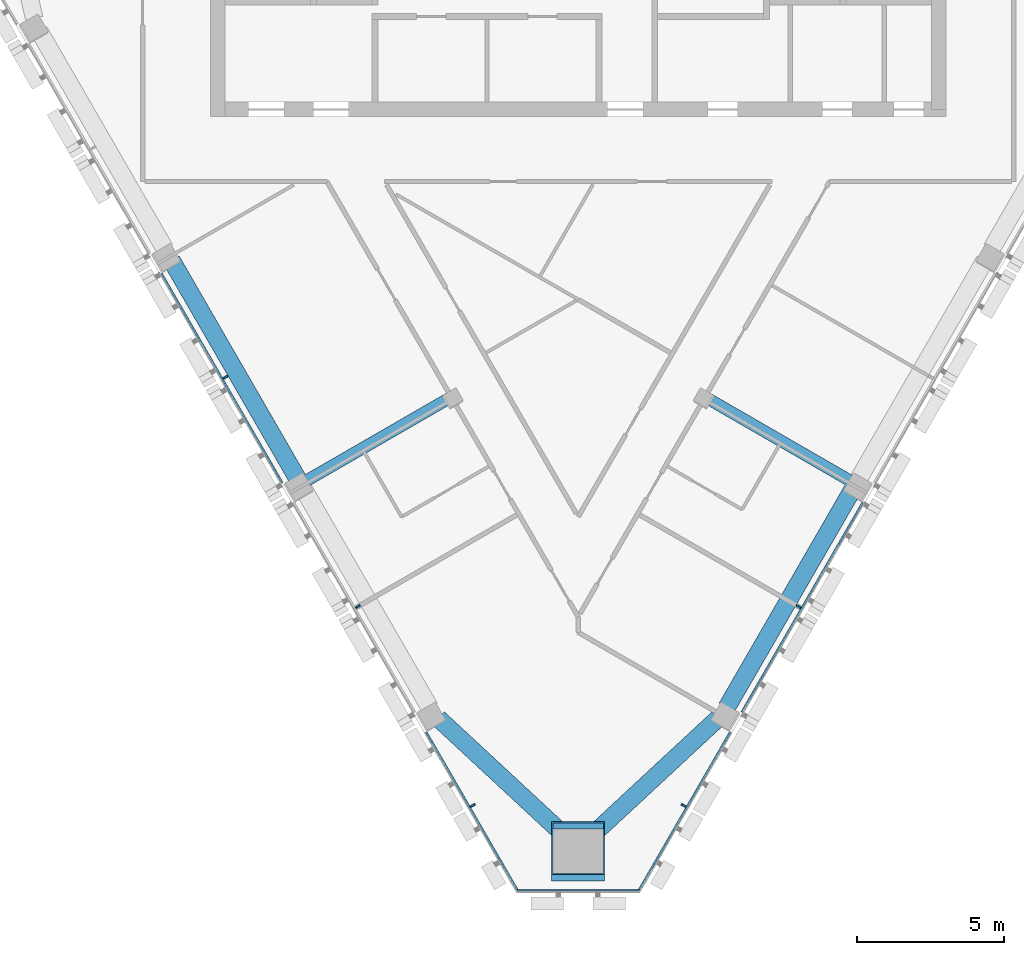
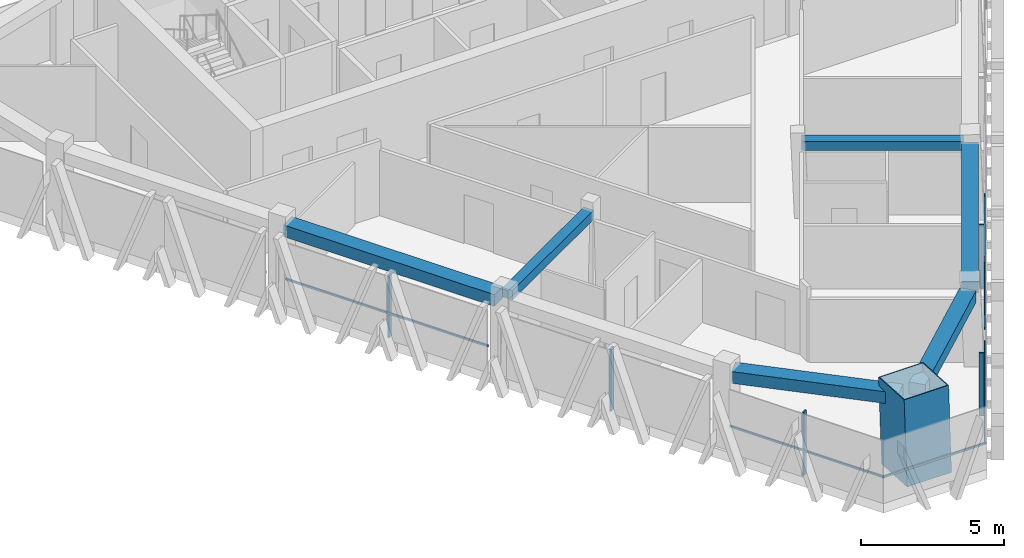
# One storey, part 2 of 12: 11 members, 6 beams, 3 elements without a shape of their own.
"""IFC4 building model written with IfcOpenShell, lengths in metres."""

from ifc_helpers import new_model, si_unit, direction, frame, origin, origin_2d, place, context, subcontext, project, spatial, rectangle, hollow_rectangle, extrude, material, layer, layer_set, material_profile, profile_set, type_object, element, aggregate, save


model = new_model("IFC4")

# Units and contexts
model_context = context("Model", 3, precision=1e-05, world=origin(), true_north=direction((0.0, 1.0)))
body_context = subcontext(model_context, "Body", "Model", "MODEL_VIEW")
ifc_project = project(units=[si_unit("LENGTHUNIT", "METRE"), si_unit("AREAUNIT", "SQUARE_METRE"), si_unit("VOLUMEUNIT", "CUBIC_METRE"), si_unit("PLANEANGLEUNIT", "RADIAN"), si_unit("MASSUNIT", "GRAM", prefix="KILO")], contexts=[model_context])

# Site, building, storey
site_placement = place(None, origin())
site = spatial("IfcSite", under=ifc_project, at=site_placement, CompositionType="ELEMENT")
building_placement = place(site_placement, origin())
building = spatial("IfcBuilding", under=site, at=building_placement, Name="Altiplano Prism Tower", CompositionType="ELEMENT")
storey_placement = place(building_placement, frame((0.0, 0.0, 298.60009765625)))
storey = spatial("IfcBuildingStorey", under=building, at=storey_placement, Name="L77", CompositionType="ELEMENT", Elevation=298.60009765625)

# Curtain wall, members
ifc_material_1 = material(Name="Aluminium and glass", Category="aluminium")
ifc_layer = layer(ifc_material_1, 0.280029296875)
ifc_layer_set = layer_set([ifc_layer], Name="Aluminium and glass")
curtain_wall_type = type_object("IfcCurtainWallType", Name="CW1 typical co-living unitised curtain wall", PredefinedType="NOTDEFINED", material=ifc_layer_set)
curtain_wall_1_placement = place(storey_placement, origin())
curtain_wall_1 = element("IfcCurtainWall", 1, at=curtain_wall_1_placement, inside=storey, type_object=curtain_wall_type, Name="CW1 curtain wall south-west face L77", PredefinedType="NOTDEFINED")
ifc_material_2 = material(Name="Aluminium", Category="aluminium")
ifc_material_profile_1 = material_profile(ifc_material_2, rectangle(XDim=0.179931640625, YDim=0.06494140625, at=origin_2d()), Name="CW1 mullion 65 x 180")
ifc_profile_set_1 = profile_set([ifc_material_profile_1], Name="Aluminium")
member_type_1 = type_object("IfcMemberType", Name="CW1 mullion 65 x 180", PredefinedType="MULLION", material=ifc_profile_set_1)
member_1_placement = place(storey_placement, frame((73.0126953125, 84.047607421875, 0.0), z_axis=(0.0, 0.0, 1.0), x_axis=(0.866025408008, 0.499999992684, 0.0)))
member_1 = element("IfcMember", 2, at=member_1_placement, type_object=member_type_1, Name="CW1 mullion", PredefinedType="MULLION", context=body_context, shape_type="SweptSolid", body=[
    extrude(rectangle(XDim=0.179931640625, YDim=0.06494140625, at=origin_2d()), origin(), (0.0, 0.0, 1.0), 2.699951171875),
])
member_2_placement = place(storey_placement, frame((77.5126953125, 76.25341796875, 0.0), z_axis=(0.0, 0.0, 1.0), x_axis=(0.866025408008, 0.499999992684, 0.0)))
member_2 = element("IfcMember", 3, at=member_2_placement, type_object=member_type_1, Name="CW1 mullion", PredefinedType="MULLION", context=body_context, shape_type="SweptSolid", body=[
    extrude(rectangle(XDim=0.179931640625, YDim=0.06494140625, at=origin_2d()), origin(), (0.0, 0.0, 1.0), 2.699951171875),
])
member_3_placement = place(storey_placement, frame((81.41552734375, 69.49365234375, 0.0), z_axis=(0.0, 0.0, 1.0), x_axis=(0.866025408008, 0.499999992684, 0.0)))
member_3 = element("IfcMember", 4, at=member_3_placement, type_object=member_type_1, Name="CW1 mullion", PredefinedType="MULLION", context=body_context, shape_type="SweptSolid", body=[
    extrude(rectangle(XDim=0.179931640625, YDim=0.06494140625, at=origin_2d()), origin(), (0.0, 0.0, 1.0), 2.699951171875),
])

curtain_wall_2_placement = place(storey_placement, origin())
curtain_wall_2 = element("IfcCurtainWall", 5, at=curtain_wall_2_placement, inside=storey, type_object=curtain_wall_type, Name="CW1 curtain wall south-east face L77", PredefinedType="NOTDEFINED")
member_4_placement = place(storey_placement, frame((88.58447265625, 69.49365234375, 0.0), z_axis=(0.0, 0.0, 1.0), x_axis=(-0.866025408008, 0.499999992684, 0.0)))
member_4 = element("IfcMember", 6, at=member_4_placement, type_object=member_type_1, Name="CW1 mullion", PredefinedType="MULLION", context=body_context, shape_type="SweptSolid", body=[
    extrude(rectangle(XDim=0.179931640625, YDim=0.06494140625, at=origin_2d()), origin(), (0.0, 0.0, 1.0), 2.699951171875),
])
member_5_placement = place(storey_placement, frame((92.4873046875, 76.25341796875, 0.0), z_axis=(0.0, 0.0, 1.0), x_axis=(-0.866025408008, 0.499999992684, 0.0)))
member_5 = element("IfcMember", 7, at=member_5_placement, type_object=member_type_1, Name="CW1 mullion", PredefinedType="MULLION", context=body_context, shape_type="SweptSolid", body=[
    extrude(rectangle(XDim=0.179931640625, YDim=0.06494140625, at=origin_2d()), origin(), (0.0, 0.0, 1.0), 2.699951171875),
])

# Member
ifc_material_profile_2 = material_profile(ifc_material_2, rectangle(XDim=0.06005859375, YDim=0.080078125, at=origin_2d()), Name="CW1 transom 80 x 60")
ifc_profile_set_2 = profile_set([ifc_material_profile_2], Name="Aluminium")
member_type_2 = type_object("IfcMemberType", Name="CW1 transom 80 x 60", PredefinedType="USERDEFINED", material=ifc_profile_set_2)
member_6_placement = place(storey_placement, frame((70.834228515625, 87.5810546875, 1.099853515625), z_axis=(0.499991554064, -0.866030279993, 0.0), x_axis=(0.866030279993, 0.499991554064, 0.0)))
member_6 = element("IfcMember", 8, at=member_6_placement, type_object=member_type_2, Name="CW1 transom", ObjectType="TRANSOM", PredefinedType="USERDEFINED", context=body_context, shape_type="SweptSolid", body=[
    extrude(rectangle(XDim=0.06005859375, YDim=0.080078125, at=origin_2d()), origin(), (0.0, 0.0, 1.0), 8.219970703125),
])

member_7_placement = place(storey_placement, frame((79.834228515625, 71.99267578125, 1.099853515625), z_axis=(0.499981277565, -0.866036212918, 0.0), x_axis=(0.866036212918, 0.499981277565, 0.0)))
member_7 = element("IfcMember", 9, at=member_7_placement, type_object=member_type_2, Name="CW1 transom", ObjectType="TRANSOM", PredefinedType="USERDEFINED", context=body_context, shape_type="SweptSolid", body=[
    extrude(rectangle(XDim=0.06005859375, YDim=0.080078125, at=origin_2d()), origin(), (0.0, 0.0, 1.0), 6.260009765625),
])

aggregate(curtain_wall_1, [member_1, member_6, member_2, member_3, member_7])

# Curtain wall, member
curtain_wall_3_placement = place(storey_placement, origin())
curtain_wall_3 = element("IfcCurtainWall", 10, at=curtain_wall_3_placement, inside=storey, type_object=curtain_wall_type, Name="CW1 curtain wall south chamfer L77", PredefinedType="NOTDEFINED")
member_8_placement = place(storey_placement, frame((82.903564453125, 66.6064453125, 1.099853515625), z_axis=(1.0, 0.0, 0.0), x_axis=(0.0, 1.0, 0.0)))
member_8 = element("IfcMember", 11, at=member_8_placement, type_object=member_type_2, Name="CW1 transom", ObjectType="TRANSOM", PredefinedType="USERDEFINED", context=body_context, shape_type="SweptSolid", body=[
    extrude(rectangle(XDim=0.06005859375, YDim=0.080078125, at=origin_2d()), origin(), (0.0, 0.0, 1.0), 4.19287109375),
])
aggregate(curtain_wall_3, [member_8])

# Member
member_9_placement = place(storey_placement, frame((87.035888671875, 66.5712890625, 1.099853515625), z_axis=(0.499981277565, 0.866036212918, 0.0), x_axis=(-0.866036212918, 0.499981277565, 0.0)))
member_9 = element("IfcMember", 12, at=member_9_placement, type_object=member_type_2, Name="CW1 transom", ObjectType="TRANSOM", PredefinedType="USERDEFINED", context=body_context, shape_type="SweptSolid", body=[
    extrude(rectangle(XDim=0.06005859375, YDim=0.080078125, at=origin_2d()), origin(), (0.0, 0.0, 1.0), 6.260009765625),
])

member_10_placement = place(storey_placement, frame((90.555908203125, 72.668212890625, 1.099853515625), z_axis=(0.499991554064, 0.866030279993, 0.0), x_axis=(-0.866030279993, 0.499991554064, 0.0)))
member_10 = element("IfcMember", 13, at=member_10_placement, type_object=member_type_2, Name="CW1 transom", ObjectType="TRANSOM", PredefinedType="USERDEFINED", context=body_context, shape_type="SweptSolid", body=[
    extrude(rectangle(XDim=0.06005859375, YDim=0.080078125, at=origin_2d()), origin(), (0.0, 0.0, 1.0), 8.219970703125),
])

aggregate(curtain_wall_2, [member_4, member_9, member_5, member_10])

# Beams
ifc_material_3 = material(Name="Concrete C60/75", Category="concrete")
ifc_material_profile_3 = material_profile(ifc_material_3, rectangle(XDim=0.60009765625, YDim=0.5, at=origin_2d()), Name="Edge beam 600x500")
ifc_profile_set_3 = profile_set([ifc_material_profile_3], Name="Concrete C60/75")
beam_type_1 = type_object("IfcBeamType", Name="Edge beam 600x500", PredefinedType="SPANDREL", material=ifc_profile_set_3)
beam_1_placement = place(storey_placement, frame((71.182861328125, 88.013916015625, 2.949951171875), z_axis=(0.500007039007, -0.866021339774, 0.0), x_axis=(0.866021339774, 0.500007039007, 0.0)))
element("IfcBeam", 14, at=beam_1_placement, inside=storey, type_object=beam_type_1, Name="Edge beam P12-P13 L78", PredefinedType="SPANDREL", context=body_context, shape_type="SweptSolid", body=[
    extrude(rectangle(XDim=0.60009765625, YDim=0.5, at=origin_2d()), origin(), (0.0, 0.0, 1.0), 8.5400390625),
])
for number, where, z_axis, x_axis, name in (
    (15, (80.24853515625, 72.457275390625, 2.949951171875), (0.732921757638, -0.680312940624, 0.0), (0.680312940624, 0.732921757638, 0.0), "Edge beam P14-M1 L78"),
    (16, (85.329833984375, 68.35302734375, 2.949951171875), (0.732921757638, 0.680312940624, 0.0), (-0.680312940624, 0.732921757638, 0.0), "Edge beam M1-P21 L78"),
):
    element("IfcBeam", number, at=place(storey_placement, frame(where, z_axis=z_axis, x_axis=x_axis)), inside=storey, type_object=beam_type_1, Name=name, PredefinedType="SPANDREL", context=body_context, shape_type="SweptSolid", body=[
        extrude(rectangle(XDim=0.60009765625, YDim=0.5, at=origin_2d()), origin(), (0.0, 0.0, 1.0), 6.032958984375),
    ])
beam_2_placement = place(storey_placement, frame((90.047119140625, 72.823974609375, 2.949951171875), z_axis=(0.500007039007, 0.866021339774, 0.0), x_axis=(-0.866021339774, 0.500007039007, 0.0)))
element("IfcBeam", 17, at=beam_2_placement, inside=storey, type_object=beam_type_1, Name="Edge beam P21-P22 L78", PredefinedType="SPANDREL", context=body_context, shape_type="SweptSolid", body=[
    extrude(rectangle(XDim=0.60009765625, YDim=0.5, at=origin_2d()), origin(), (0.0, 0.0, 1.0), 8.5400390625),
])

# Member
ifc_material_4 = material(Name="Steel S460", Category="steel")
ifc_material_profile_4 = material_profile(ifc_material_4, hollow_rectangle(XDim=1.800048828125, YDim=1.800048828125, WallThickness=0.0400390625, at=origin_2d()), Name="Mega column tube 1800")
ifc_profile_set_4 = profile_set([ifc_material_profile_4], Name="Steel S460")
member_type_3 = type_object("IfcMemberType", Name="Mega column tube 1800", PredefinedType="POST", material=ifc_profile_set_4)
member_11_placement = place(storey_placement, frame((85.0, 67.83642578125, 0.0), z_axis=(0.0, 0.058360852261, 0.998295552892), x_axis=(-1.0, 0.0, 0.0)))
element("IfcMember", 18, at=member_11_placement, inside=storey, type_object=member_type_3, Name="Mega column tube M1 L77", PredefinedType="POST", context=body_context, shape_type="SweptSolid", body=[
    extrude(hollow_rectangle(XDim=1.800048828125, YDim=1.800048828125, WallThickness=0.0400390625, at=origin_2d()), origin(), (0.0, 0.0, 1.0), 3.60595703125),
])

# Beams
ifc_material_profile_5 = material_profile(ifc_material_3, rectangle(XDim=0.39990234375, YDim=0.39990234375, at=origin_2d()), Name="Tie beam 400x400")
ifc_profile_set_5 = profile_set([ifc_material_profile_5], Name="Concrete C60/75")
beam_type_2 = type_object("IfcBeamType", Name="Tie beam 400x400", PredefinedType="BEAM", material=ifc_profile_set_5)
for number, where, z_axis, x_axis, name in (
    (19, (80.69482421875, 83.37890625, 3.0), (-0.866029822496, -0.499992346489, 0.0), (0.499992346489, -0.866029822496, 0.0), "Tie beam I13 L78"),
    (20, (89.30517578125, 83.37890625, 3.0), (0.866029822496, -0.499992346489, 0.0), (0.499992346489, 0.866029822496, 0.0), "Tie beam I22 L78"),
):
    element("IfcBeam", number, at=place(storey_placement, frame(where, z_axis=z_axis, x_axis=x_axis)), inside=storey, type_object=beam_type_2, Name=name, PredefinedType="BEAM", context=body_context, shape_type="SweptSolid", body=[
        extrude(rectangle(XDim=0.39990234375, YDim=0.39990234375, at=origin_2d()), origin(), (0.0, 0.0, 1.0), 5.68994140625),
    ])

save(model, "model.ifc")
